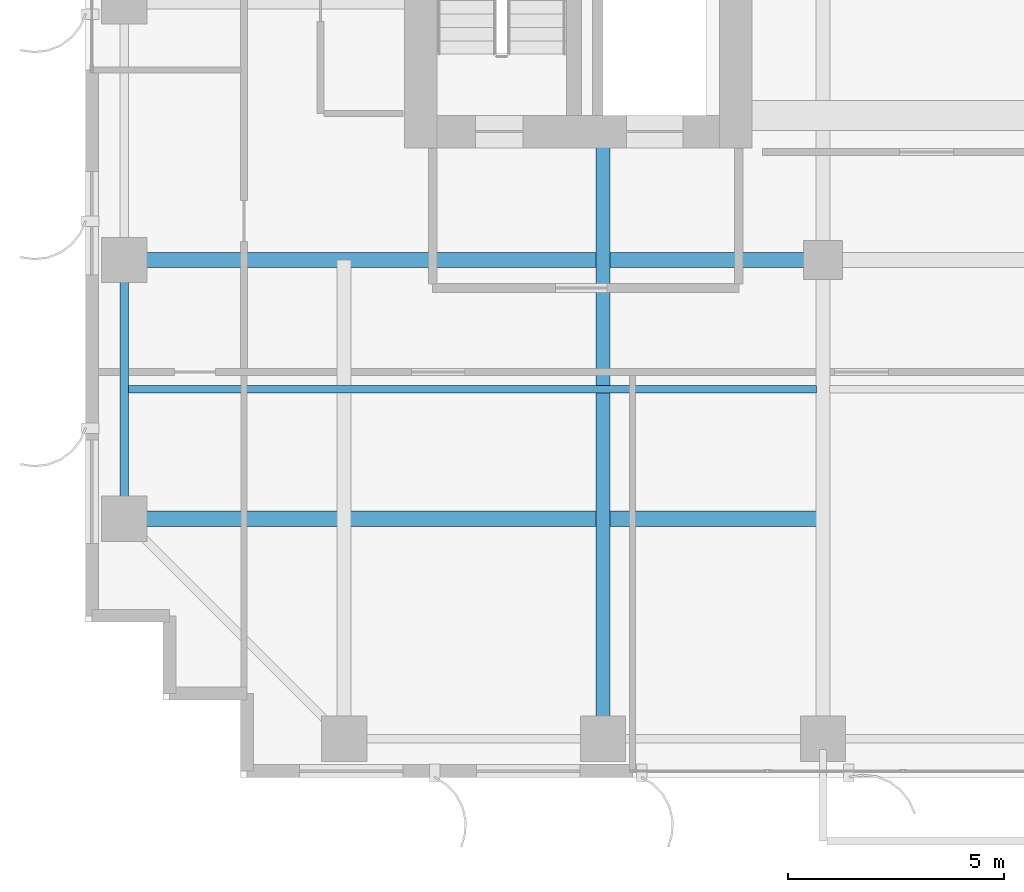
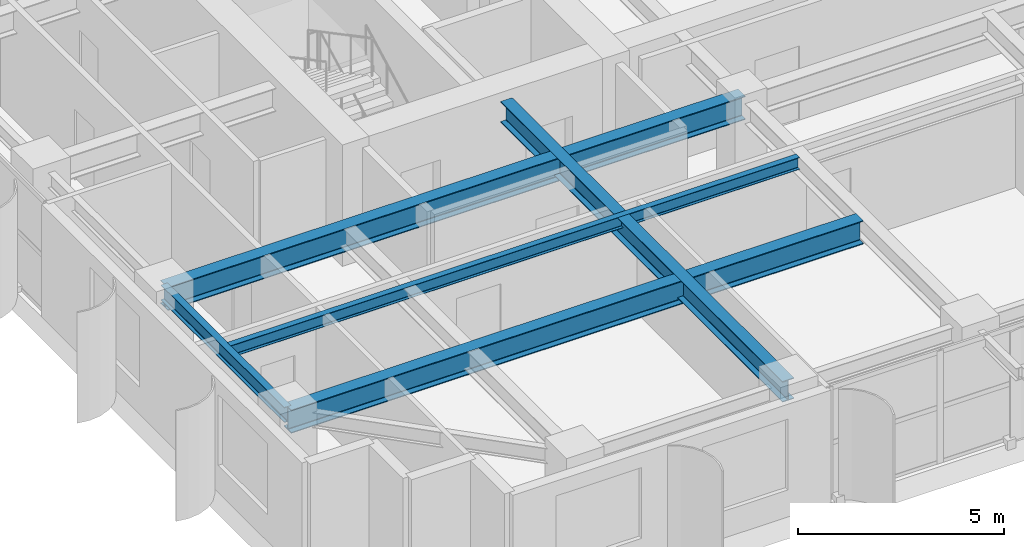
# One storey, part 3 of 23: 5 beams.
"""IFC4 building model written with IfcOpenShell, lengths in metres."""

from ifc_helpers import new_model, si_unit, direction, frame, origin, origin_2d, place, context, subcontext, project, spatial, i_section, extrude, source, transform, mapped, material, material_profile, profile_set, type_object, element, save


model = new_model("IFC4")

# Units and contexts
model_context = context("Model", 3, precision=1e-05, world=origin(), true_north=direction((0.0, 1.0)))
body_context = subcontext(model_context, "Body", "Model", "MODEL_VIEW")
ifc_project = project(units=[si_unit("LENGTHUNIT", "METRE"), si_unit("AREAUNIT", "SQUARE_METRE"), si_unit("VOLUMEUNIT", "CUBIC_METRE"), si_unit("PLANEANGLEUNIT", "RADIAN"), si_unit("MASSUNIT", "GRAM", prefix="KILO")], contexts=[model_context])

# Site, building, storey
site_placement = place(None, origin())
site = spatial("IfcSite", under=ifc_project, at=site_placement, CompositionType="ELEMENT")
building_placement = place(site_placement, origin())
building = spatial("IfcBuilding", under=site, at=building_placement, Name="Khoralis Quay Care Tower", CompositionType="ELEMENT")
storey_placement = place(building_placement, frame((0.0, 0.0, 83.699951171875)))
storey = spatial("IfcBuildingStorey", under=building, at=storey_placement, Name="L21", CompositionType="ELEMENT", Elevation=83.699951171875)

# Beams
ifc_material = material(Name="Steel S355", Category="steel")
ifc_material_profile_1 = material_profile(ifc_material, i_section(OverallWidth=0.18994140625, OverallDepth=0.449951171875, WebThickness=0.009521484375, FlangeThickness=0.0146484375, FilletRadius=0.02099609375, at=origin_2d()), Name="Steel S355")
ifc_profile_set_1 = profile_set([ifc_material_profile_1], Name="Steel S355")
beam_type_1 = type_object("IfcBeamType", Name="BM-IPE450", PredefinedType="SPANDREL", material=ifc_profile_set_1)
shared_shape_1 = source(origin(), body_context, "Body", "SweptSolid", [
    extrude(i_section(OverallWidth=0.18994140625, OverallDepth=0.449951171875, WebThickness=0.009521484375, FlangeThickness=0.0146484375, FilletRadius=0.02099609375, at=origin_2d()), origin(), (0.0, 0.0, 1.0), 6.0),
])
beam_1_placement = place(storey_placement, frame((0.89990234375, 6.0, 3.114990234375), z_axis=(0.0, 1.0, 0.0), x_axis=(-1.0, 0.0, 0.0)))
element("IfcBeam", 1, at=beam_1_placement, inside=storey, type_object=beam_type_1, Name="BM-TSP-L21-11", PredefinedType="SPANDREL", context=body_context, shape_type="MappedRepresentation", body=[
    mapped(shared_shape_1, transform((0.0, 0.0, 0.0), scale=1.0)),
])
ifc_material_profile_2 = material_profile(ifc_material, i_section(OverallWidth=0.35498046875, OverallDepth=0.695068359375, WebThickness=0.015380859375, FlangeThickness=0.02490234375, FilletRadius=0.02001953125, at=origin_2d()), Name="Steel S355")
ifc_profile_set_2 = profile_set([ifc_material_profile_2], Name="Steel S355")
beam_type_2 = type_object("IfcBeamType", Name="BM-W690X217", PredefinedType="BEAM", material=ifc_profile_set_2)
shared_shape_2 = source(origin(), body_context, "Body", "SweptSolid", [
    extrude(i_section(OverallWidth=0.35498046875, OverallDepth=0.695068359375, WebThickness=0.015380859375, FlangeThickness=0.02490234375, FilletRadius=0.02001953125, at=origin_2d()), origin(), (0.0, 0.0, 1.0), 16.049560546875),
])
beam_2_placement = place(storey_placement, frame((0.89990234375, 6.0, 2.992431640625), z_axis=(1.0, 0.0, 0.0), x_axis=(0.0, 1.0, 0.0)))
element("IfcBeam", 2, at=beam_2_placement, inside=storey, type_object=beam_type_2, Name="BM-TGXW-L21-60", PredefinedType="BEAM", context=body_context, shape_type="MappedRepresentation", body=[
    mapped(shared_shape_2, transform((0.0, 0.0, 0.0), scale=1.0)),
])
shared_shape_3 = source(origin(), body_context, "Body", "SweptSolid", [
    extrude(i_section(OverallWidth=0.35498046875, OverallDepth=0.695068359375, WebThickness=0.015380859375, FlangeThickness=0.02490234375, FilletRadius=0.02001953125, at=origin_2d()), origin(), (0.0, 0.0, 1.0), 16.2001953125),
])
beam_3_placement = place(storey_placement, frame((0.89990234375, 12.0, 2.992431640625), z_axis=(1.0, 0.0, 0.0), x_axis=(0.0, 1.0, 0.0)))
element("IfcBeam", 3, at=beam_3_placement, inside=storey, type_object=beam_type_2, Name="BM-TGXW-L21-120", PredefinedType="BEAM", context=body_context, shape_type="MappedRepresentation", body=[
    mapped(shared_shape_3, transform((0.0, 0.0, 0.0), scale=1.0)),
])
ifc_material_profile_3 = material_profile(ifc_material, i_section(OverallWidth=0.1708984375, OverallDepth=0.35498046875, WebThickness=0.007080078125, FlangeThickness=0.01171875, FilletRadius=0.012939453125, at=origin_2d()), Name="Steel S355")
ifc_profile_set_3 = profile_set([ifc_material_profile_3], Name="Steel S355")
beam_type_3 = type_object("IfcBeamType", Name="BM-W360X51", PredefinedType="JOIST", material=ifc_profile_set_3)
shared_shape_4 = source(origin(), body_context, "Body", "SweptSolid", [
    extrude(i_section(OverallWidth=0.1708984375, OverallDepth=0.35498046875, WebThickness=0.007080078125, FlangeThickness=0.01171875, FilletRadius=0.012939453125, at=origin_2d()), origin(), (0.0, 0.0, 1.0), 15.968505859375),
])
beam_4_placement = place(storey_placement, frame((0.98095703125, 9.0, 3.16259765625), z_axis=(1.0, 0.0, 0.0), x_axis=(0.0, 1.0, 0.0)))
element("IfcBeam", 4, at=beam_4_placement, inside=storey, type_object=beam_type_3, Name="BM-TJS-L21-25", PredefinedType="JOIST", context=body_context, shape_type="MappedRepresentation", body=[
    mapped(shared_shape_4, transform((0.0, 0.0, 0.0), scale=1.0)),
])
ifc_material_profile_4 = material_profile(ifc_material, i_section(OverallWidth=0.324951171875, OverallDepth=0.615966796875, WebThickness=0.013916015625, FlangeThickness=0.021484375, FilletRadius=0.01806640625, at=origin_2d()), Name="Steel S355")
ifc_profile_set_4 = profile_set([ifc_material_profile_4], Name="Steel S355")
beam_type_4 = type_object("IfcBeamType", Name="BM-W610X174", PredefinedType="BEAM", material=ifc_profile_set_4)
shared_shape_5 = source(origin(), body_context, "Body", "SweptSolid", [
    extrude(i_section(OverallWidth=0.324951171875, OverallDepth=0.615966796875, WebThickness=0.013916015625, FlangeThickness=0.021484375, FilletRadius=0.01806640625, at=origin_2d()), origin(), (0.0, 0.0, 1.0), 13.7021484375),
])
beam_5_placement = place(storey_placement, frame((12.0, 0.89990234375, 3.031982421875), z_axis=(0.0, 1.0, 0.0), x_axis=(-1.0, 0.0, 0.0)))
element("IfcBeam", 5, at=beam_5_placement, inside=storey, type_object=beam_type_4, Name="BM-TGYS-L21-120", PredefinedType="BEAM", context=body_context, shape_type="MappedRepresentation", body=[
    mapped(shared_shape_5, transform((0.0, 0.0, 0.0), scale=1.0)),
])

save(model, "model.ifc")
